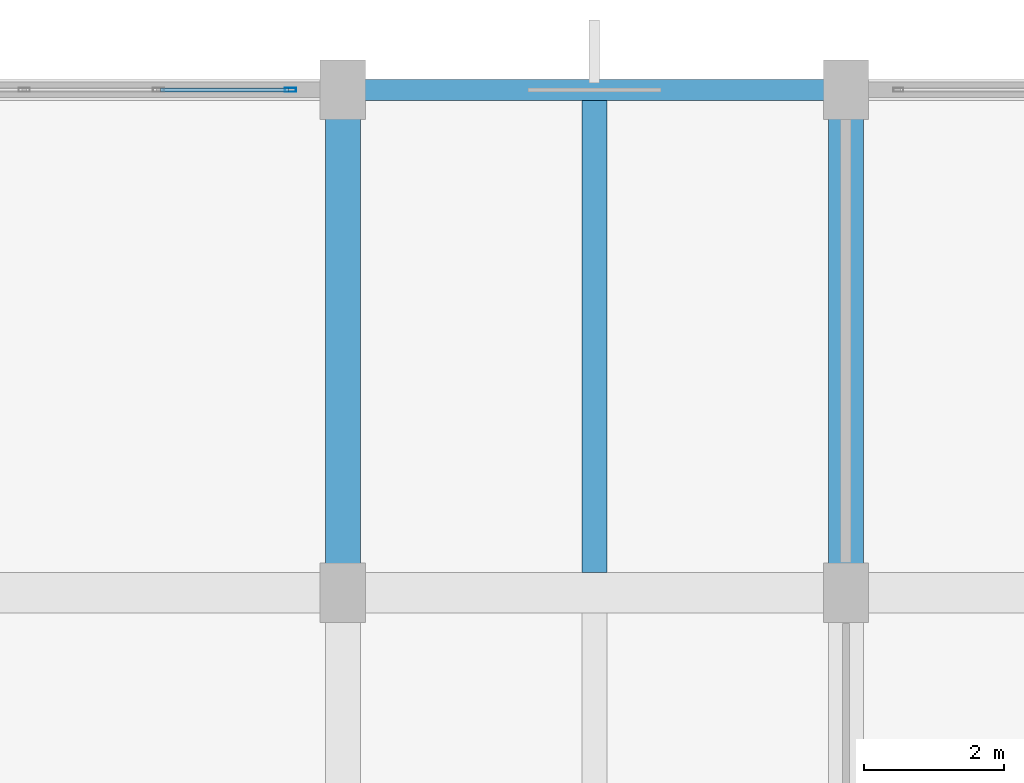
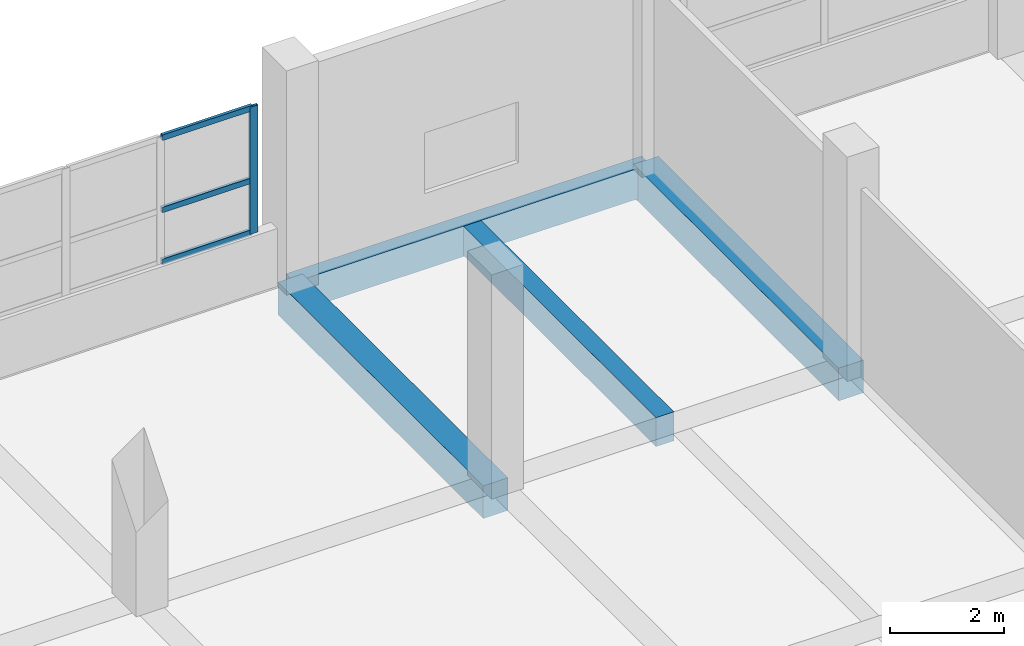
# One storey, part 107 of 140: 4 beams, 4 members, 1 element without a shape of its own.
"""IFC4 building model written with IfcOpenShell, lengths in metres."""

from ifc_helpers import new_model, si_unit, direction, frame, origin, origin_2d, place, context, subcontext, project, spatial, rectangle, hollow_rectangle, extrude, material, layer, layer_set, material_profile, profile_set, type_object, element, aggregate, save


model = new_model("IFC4")

# Units and contexts
model_context = context("Model", 3, precision=1e-05, world=origin(), true_north=direction((0.0, 1.0)))
body_context = subcontext(model_context, "Body", "Model", "MODEL_VIEW")
ifc_project = project(units=[si_unit("LENGTHUNIT", "METRE"), si_unit("AREAUNIT", "SQUARE_METRE"), si_unit("VOLUMEUNIT", "CUBIC_METRE"), si_unit("PLANEANGLEUNIT", "RADIAN"), si_unit("MASSUNIT", "GRAM", prefix="KILO")], contexts=[model_context])

# Site, building, storey
site_placement = place(None, origin())
site = spatial("IfcSite", under=ifc_project, at=site_placement, CompositionType="ELEMENT")
building_placement = place(site_placement, origin())
building = spatial("IfcBuilding", under=site, at=building_placement, Name="Seraya Terrace Polytechnic", CompositionType="ELEMENT")
storey_placement = place(building_placement, frame((0.0, 0.0, 9.60009765625)))
storey = spatial("IfcBuildingStorey", under=building, at=storey_placement, Name="L02", CompositionType="ELEMENT", Elevation=9.60009765625)

# Beams
ifc_material_1 = material(Name="Concrete C40/50", Category="concrete")
ifc_material_profile_1 = material_profile(ifc_material_1, rectangle(XDim=0.5, YDim=0.699951171875, at=origin_2d()), Name="RC 500x700")
ifc_profile_set_1 = profile_set([ifc_material_profile_1], Name="Concrete C40/50")
beam_type_1 = type_object("IfcBeamType", Name="BM-07", PredefinedType="BEAM", material=ifc_profile_set_1)
for number, where, z_axis, x_axis, name in (
    (1, (129.60009765625, 108.0, -0.35009765625), (0.0, 1.0, 0.0), (-1.0, 0.0, 0.0), "Beam BM-07 L02 Y (129.6, 108.0..115.2)"),
    (2, (136.800048828125, 108.0, -0.35009765625), (0.0, 1.0, 0.0), (-1.0, 0.0, 0.0), "Beam BM-07 L02 Y (136.8, 108.0..115.2)"),
):
    element("IfcBeam", number, at=place(storey_placement, frame(where, z_axis=z_axis, x_axis=x_axis)), inside=storey, type_object=beam_type_1, Name=name, PredefinedType="BEAM", context=body_context, shape_type="SweptSolid", body=[
        extrude(rectangle(XDim=0.5, YDim=0.699951171875, at=origin_2d()), origin(), (0.0, 0.0, 1.0), 7.199951171875),
    ])

# Curtain wall, members
ifc_material_2 = material(Name="Anodised aluminium EN AW-6063 T6", Category="aluminium")
ifc_layer = layer(ifc_material_2, 0.179931640625, Name="CW-23")
ifc_layer_set = layer_set([ifc_layer], Name="Anodised aluminium EN AW-6063 T6")
curtain_wall_type = type_object("IfcCurtainWallType", Name="CW-23", PredefinedType="NOTDEFINED", material=ifc_layer_set)
curtain_wall_placement = place(storey_placement, origin())
curtain_wall = element("IfcCurtainWall", 3, at=curtain_wall_placement, inside=storey, type_object=curtain_wall_type, Name="Unitised curtain wall CW-23 (CW-L02-095)", PredefinedType="NOTDEFINED")
ifc_material_profile_2 = material_profile(ifc_material_2, hollow_rectangle(XDim=0.06005859375, YDim=0.159912109375, WallThickness=0.00341796875, at=origin_2d()), Name="RHS 160x60x3.5")
ifc_profile_set_2 = profile_set([ifc_material_profile_2], Name="Anodised aluminium EN AW-6063 T6")
member_type_1 = type_object("IfcMemberType", Name="CWM-02", PredefinedType="MULLION", material=ifc_profile_set_2)
member_1_placement = place(storey_placement, frame((128.85009765625, 115.199951171875, 1.239990234375), z_axis=(0.0, 0.0, 1.0), x_axis=(0.0, 1.0, 0.0)))
member_1 = element("IfcMember", 4, at=member_1_placement, type_object=member_type_1, Name="CW-23 mullion 4", PredefinedType="MULLION", context=body_context, shape_type="SweptSolid", body=[
    extrude(hollow_rectangle(XDim=0.06005859375, YDim=0.159912109375, WallThickness=0.00341796875, at=origin_2d()), origin(), (0.0, 0.0, 1.0), 2.719970703125),
])
ifc_material_profile_3 = material_profile(ifc_material_2, hollow_rectangle(XDim=0.06005859375, YDim=0.1201171875, WallThickness=0.003173828125, at=origin_2d()), Name="RHS 120x60x3.2")
ifc_profile_set_3 = profile_set([ifc_material_profile_3], Name="Anodised aluminium EN AW-6063 T6")
member_type_2 = type_object("IfcMemberType", Name="CWT-02", PredefinedType="USERDEFINED", material=ifc_profile_set_3)
member_2_placement = place(storey_placement, frame((126.989990234375, 115.199951171875, 1.27001953125), z_axis=(1.0, 0.0, 0.0), x_axis=(0.0, 1.0, 0.0)))
member_2 = element("IfcMember", 5, at=member_2_placement, type_object=member_type_2, Name="CW-23 transom 3.1", ObjectType="TRANSOM", PredefinedType="USERDEFINED", context=body_context, shape_type="SweptSolid", body=[
    extrude(hollow_rectangle(XDim=0.06005859375, YDim=0.1201171875, WallThickness=0.003173828125, at=origin_2d()), origin(), (0.0, 0.0, 1.0), 1.830078125),
])
member_3_placement = place(storey_placement, frame((126.989990234375, 115.199951171875, 2.38232421875), z_axis=(1.0, 0.0, 0.0), x_axis=(0.0, 1.0, 0.0)))
member_3 = element("IfcMember", 6, at=member_3_placement, type_object=member_type_2, Name="CW-23 transom 3.2", ObjectType="TRANSOM", PredefinedType="USERDEFINED", context=body_context, shape_type="SweptSolid", body=[
    extrude(hollow_rectangle(XDim=0.06005859375, YDim=0.1201171875, WallThickness=0.003173828125, at=origin_2d()), origin(), (0.0, 0.0, 1.0), 1.830078125),
])
member_4_placement = place(storey_placement, frame((126.989990234375, 115.199951171875, 3.929931640625), z_axis=(1.0, 0.0, 0.0), x_axis=(0.0, 1.0, 0.0)))
member_4 = element("IfcMember", 7, at=member_4_placement, type_object=member_type_2, Name="CW-23 transom 3.3", ObjectType="TRANSOM", PredefinedType="USERDEFINED", context=body_context, shape_type="SweptSolid", body=[
    extrude(hollow_rectangle(XDim=0.06005859375, YDim=0.1201171875, WallThickness=0.003173828125, at=origin_2d()), origin(), (0.0, 0.0, 1.0), 1.830078125),
])
aggregate(curtain_wall, [member_1, member_2, member_3, member_4])

# Beams
ifc_material_profile_4 = material_profile(ifc_material_1, rectangle(XDim=0.360107421875, YDim=0.6201171875, at=origin_2d()), Name="RC 360x620")
ifc_profile_set_4 = profile_set([ifc_material_profile_4], Name="Concrete C40/50")
beam_type_2 = type_object("IfcBeamType", Name="JS-01", PredefinedType="JOIST", material=ifc_profile_set_4)
beam_1_placement = place(storey_placement, frame((133.199951171875, 108.2900390625, -0.31005859375), z_axis=(0.0, 1.0, 0.0), x_axis=(-1.0, 0.0, 0.0)))
element("IfcBeam", 8, at=beam_1_placement, inside=storey, type_object=beam_type_2, Name="Secondary joist JS-01 L02", PredefinedType="JOIST", context=body_context, shape_type="SweptSolid", body=[
    extrude(rectangle(XDim=0.360107421875, YDim=0.6201171875, at=origin_2d()), origin(), (0.0, 0.0, 1.0), 6.760009765625),
])
ifc_material_profile_5 = material_profile(ifc_material_1, rectangle(XDim=0.300048828125, YDim=0.64990234375, at=origin_2d()), Name="RC 300x650")
ifc_profile_set_5 = profile_set([ifc_material_profile_5], Name="Concrete C40/50")
beam_type_3 = type_object("IfcBeamType", Name="SP-01", PredefinedType="SPANDREL", material=ifc_profile_set_5)
beam_2_placement = place(storey_placement, frame((129.60009765625, 115.199951171875, -0.3251953125), z_axis=(1.0, 0.0, 0.0), x_axis=(0.0, 1.0, 0.0)))
element("IfcBeam", 9, at=beam_2_placement, inside=storey, type_object=beam_type_3, Name="Beam SP-01 L02 X (129.6..136.8, 115.2)", PredefinedType="SPANDREL", context=body_context, shape_type="SweptSolid", body=[
    extrude(rectangle(XDim=0.300048828125, YDim=0.64990234375, at=origin_2d()), origin(), (0.0, 0.0, 1.0), 7.199951171875),
])

save(model, "model.ifc")
